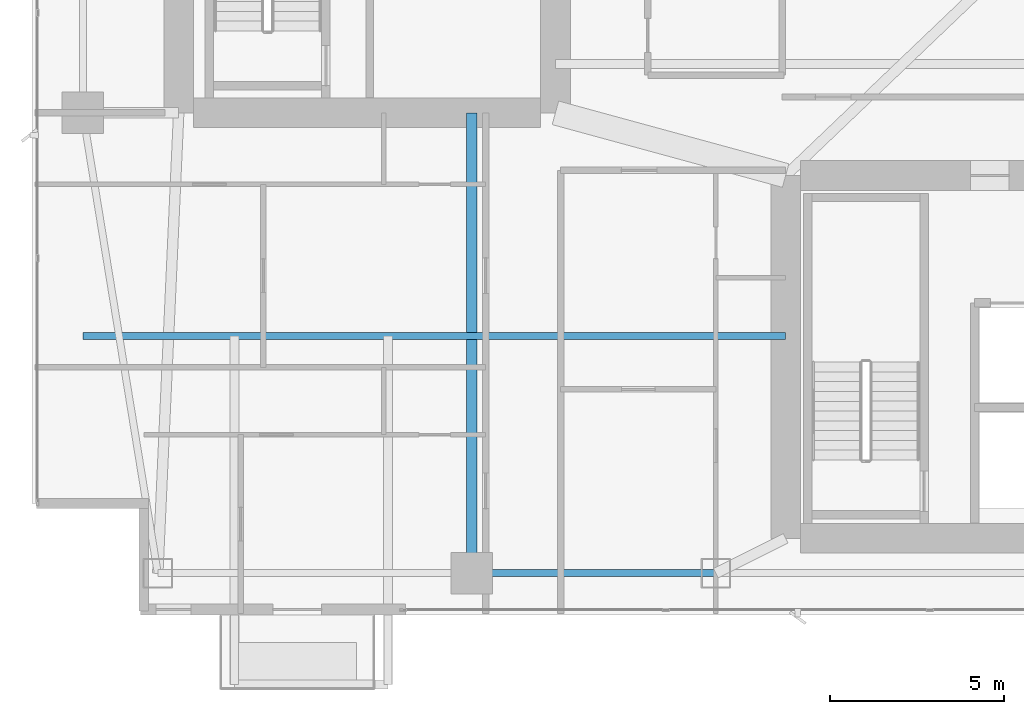
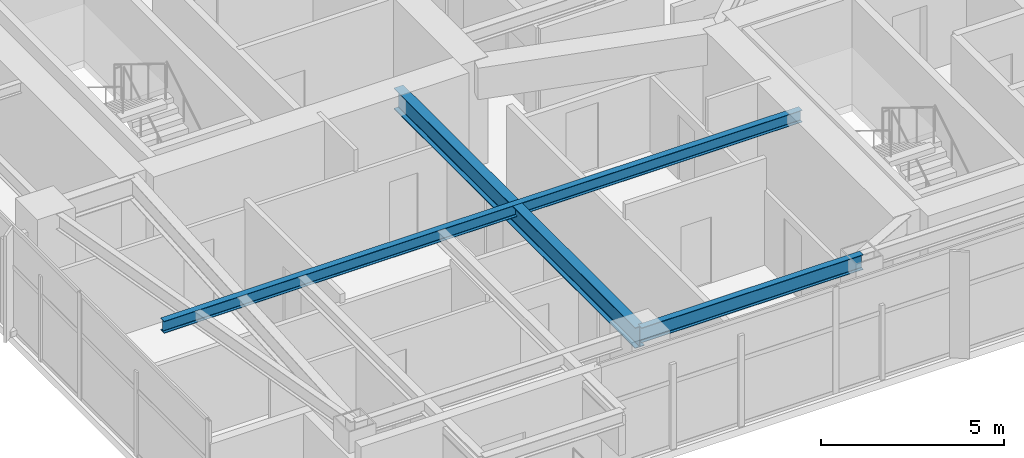
# One storey, part 5 of 28: 3 beams.
"""IFC4 building model written with IfcOpenShell, lengths in metres."""

from ifc_helpers import new_model, si_unit, direction, frame, origin, origin_2d, place, context, subcontext, project, spatial, i_section, extrude, material, material_profile, profile_set, type_object, element, save


model = new_model("IFC4")

# Units and contexts
model_context = context("Model", 3, precision=1e-05, world=origin(), true_north=direction((0.0, 1.0)))
body_context = subcontext(model_context, "Body", "Model", "MODEL_VIEW")
ifc_project = project(units=[si_unit("LENGTHUNIT", "METRE"), si_unit("AREAUNIT", "SQUARE_METRE"), si_unit("VOLUMEUNIT", "CUBIC_METRE"), si_unit("PLANEANGLEUNIT", "RADIAN"), si_unit("MASSUNIT", "GRAM", prefix="KILO")], contexts=[model_context])

# Site, building, storey
site_placement = place(None, origin())
site = spatial("IfcSite", under=ifc_project, at=site_placement, CompositionType="ELEMENT")
building_placement = place(site_placement, origin())
building = spatial("IfcBuilding", under=site, at=building_placement, Name="Calvorn Quay Hotel", CompositionType="ELEMENT")
storey_placement = place(building_placement, frame((0.0, 0.0, 101.199951171875)))
storey = spatial("IfcBuildingStorey", under=building, at=storey_placement, Name="L24", CompositionType="ELEMENT", Elevation=101.199951171875)

# Beams
ifc_material_1 = material(Name="Steel Q390GJC", Category="steel")
ifc_material_profile_1 = material_profile(ifc_material_1, i_section(OverallWidth=0.300048828125, OverallDepth=0.699951171875, WebThickness=0.012939453125, FlangeThickness=0.02392578125, FilletRadius=0.02392578125, at=origin_2d()), Name="HN700x300x13x24")
ifc_profile_set_1 = profile_set([ifc_material_profile_1], Name="Steel Q390GJC")
beam_type_1 = type_object("IfcBeamType", Name="BM-GIRD-MAIN", PredefinedType="BEAM", material=ifc_profile_set_1)
beam_1_placement = place(storey_placement, frame((12.60009765625, 3.60009765625, 3.18994140625), z_axis=(0.0, 1.0, 0.0), x_axis=(-1.0, 0.0, 0.0)))
element("IfcBeam", 1, at=beam_1_placement, inside=storey, type_object=beam_type_1, Name="Beam BG-L24-S1", PredefinedType="BEAM", context=body_context, shape_type="SweptSolid", body=[
    extrude(i_section(OverallWidth=0.300048828125, OverallDepth=0.699951171875, WebThickness=0.012939453125, FlangeThickness=0.02392578125, FilletRadius=0.02392578125, at=origin_2d()), origin(), (0.0, 0.0, 1.0), 13.199951171875),
])
ifc_material_2 = material(Name="Steel Q355B", Category="steel")
ifc_material_profile_2 = material_profile(ifc_material_2, i_section(OverallWidth=0.199951171875, OverallDepth=0.39990234375, WebThickness=0.008056640625, FlangeThickness=0.012939453125, FilletRadius=0.01611328125, at=origin_2d()), Name="HN400x200x8x13")
ifc_profile_set_2 = profile_set([ifc_material_profile_2], Name="Steel Q355B")
beam_type_2 = type_object("IfcBeamType", Name="BM-JOIST-TYP", PredefinedType="JOIST", material=ifc_profile_set_2)
beam_2_placement = place(storey_placement, frame((1.449951171875, 10.39990234375, 3.340087890625), z_axis=(1.0, 0.0, 0.0), x_axis=(0.0, 1.0, 0.0)))
element("IfcBeam", 2, at=beam_2_placement, inside=storey, type_object=beam_type_2, Name="Beam BJ-L24-W1", PredefinedType="JOIST", context=body_context, shape_type="SweptSolid", body=[
    extrude(i_section(OverallWidth=0.199951171875, OverallDepth=0.39990234375, WebThickness=0.008056640625, FlangeThickness=0.012939453125, FilletRadius=0.01611328125, at=origin_2d()), origin(), (0.0, 0.0, 1.0), 20.150146484375),
])
ifc_material_3 = material(Name="Steel Q355B", Category="steel")
ifc_material_profile_3 = material_profile(ifc_material_3, i_section(OverallWidth=0.199951171875, OverallDepth=0.5, WebThickness=0.010009765625, FlangeThickness=0.01611328125, FilletRadius=0.01611328125, at=origin_2d()), Name="HN500x200x10x16")
ifc_profile_set_3 = profile_set([ifc_material_profile_3], Name="Steel Q355B")
beam_type_3 = type_object("IfcBeamType", Name="BM-SPANDREL-Z1", PredefinedType="SPANDREL", material=ifc_profile_set_3)
beam_3_placement = place(storey_placement, frame((12.60009765625, 3.60009765625, 3.2900390625), z_axis=(1.0, 0.0, 0.0), x_axis=(0.0, 1.0, 0.0)))
element("IfcBeam", 3, at=beam_3_placement, inside=storey, type_object=beam_type_3, Name="Beam BSP-L24-S2", PredefinedType="SPANDREL", context=body_context, shape_type="SweptSolid", body=[
    extrude(i_section(OverallWidth=0.199951171875, OverallDepth=0.5, WebThickness=0.010009765625, FlangeThickness=0.01611328125, FilletRadius=0.01611328125, at=origin_2d()), origin(), (0.0, 0.0, 1.0), 7.0),
])

save(model, "model.ifc")
